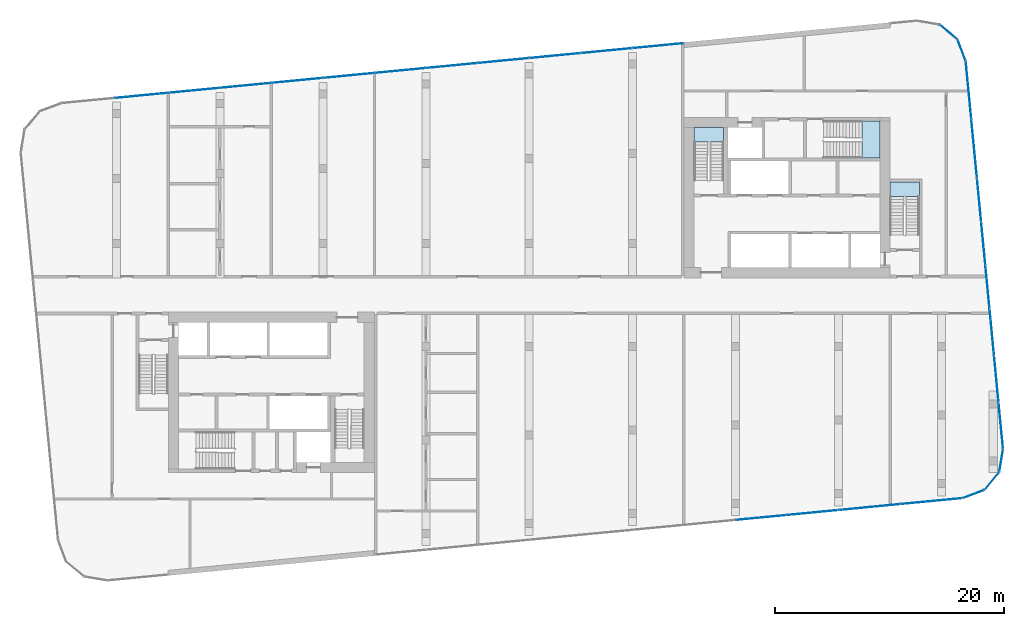
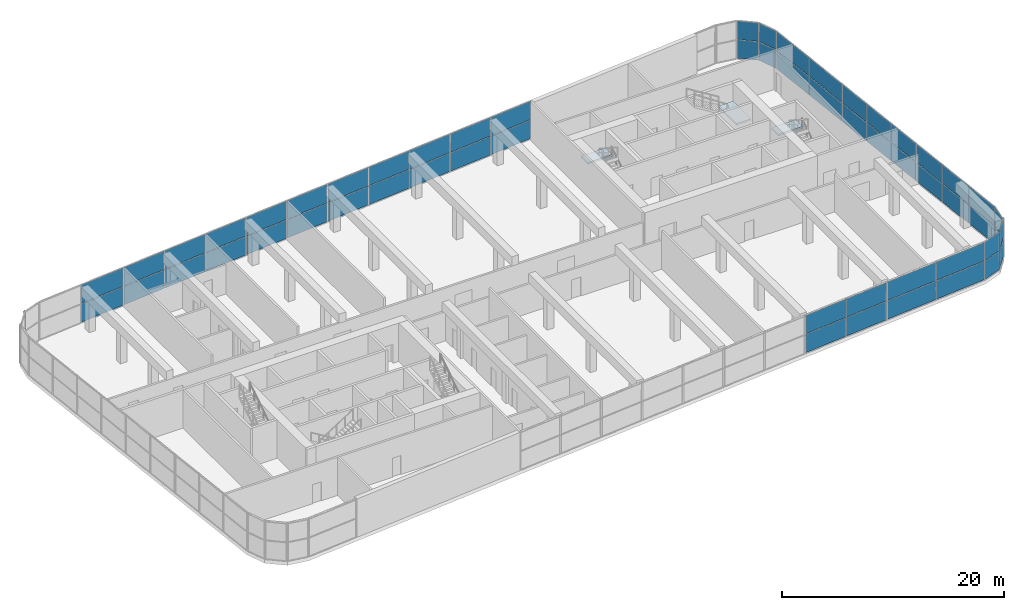
# One storey, part 11 of 21: 56 plates, 3 slabs, 18 elements without a shape of their own.
"""IFC4 building model written with IfcOpenShell, lengths in metres."""

from ifc_helpers import new_model, si_unit, direction, frame, origin, origin_2d, place, context, subcontext, project, spatial, polyline, rectangle, outline, extrude, material, layer, layer_set, type_object, element, aggregate, save


model = new_model("IFC4")

# Units and contexts
model_context = context("Model", 3, precision=1e-05, world=origin(), true_north=direction((0.0, 1.0)))
body_context = subcontext(model_context, "Body", "Model", "MODEL_VIEW")
ifc_project = project(units=[si_unit("LENGTHUNIT", "METRE"), si_unit("AREAUNIT", "SQUARE_METRE"), si_unit("VOLUMEUNIT", "CUBIC_METRE"), si_unit("PLANEANGLEUNIT", "RADIAN"), si_unit("MASSUNIT", "GRAM", prefix="KILO")], contexts=[model_context])

# Site, building, storey
site_placement = place(None, origin())
site = spatial("IfcSite", under=ifc_project, at=site_placement, CompositionType="ELEMENT")
building_placement = place(site_placement, origin())
building = spatial("IfcBuilding", under=site, at=building_placement, Name="Kajstack Hotel Tower", CompositionType="ELEMENT")
storey_placement = place(building_placement, frame((0.0, 0.0, 162.39990234375)))
storey = spatial("IfcBuildingStorey", under=building, at=storey_placement, Name="L37", CompositionType="ELEMENT", Elevation=162.39990234375)

# Curtain wall, plates
ifc_material_1 = material(Name="Aluminium-framed curtain wall, insulated glass with fritted edge", Category="aluminium")
curtain_wall_type = type_object("IfcCurtainWallType", Name="CW-SPA", PredefinedType="NOTDEFINED", material=ifc_material_1)
curtain_wall_1_placement = place(storey_placement, origin())
curtain_wall_1 = element("IfcCurtainWall", 1, at=curtain_wall_1_placement, inside=storey, type_object=curtain_wall_type, Name="Curtain wall CU7 L37-04-02-3", PredefinedType="NOTDEFINED")
ifc_material_2 = material(Name="Insulated glass with fritted edge", Category="glass")
ifc_layer_1 = layer(ifc_material_2, 0.035888671875)
ifc_layer_set_1 = layer_set([ifc_layer_1], Name="CW-P-SPA")
plate_type = type_object("IfcPlateType", Name="CW-P-SPA", PredefinedType="CURTAIN_PANEL", material=ifc_layer_set_1)
plate_1_placement = place(storey_placement, frame((20.2578125, -19.4267578125, 0.06005859375), z_axis=(0.0, 0.0, 1.0), x_axis=(0.995396238823, 0.095845332373, 0.0)))
plate_1 = element("IfcPlate", 2, at=plate_1_placement, type_object=plate_type, Name="CU7 panel 1.1", PredefinedType="CURTAIN_PANEL", context=body_context, shape_type="SweptSolid", body=[
    extrude(rectangle(XDim=4.430908203125, YDim=0.035888671875, at=origin_2d()), origin(), (0.0, 0.0, 1.0), 2.02001953125),
])
plate_2_placement = place(storey_placement, frame((20.2578125, -19.4267578125, 2.14013671875), z_axis=(0.0, 0.0, 1.0), x_axis=(0.995396238823, 0.095845332373, 0.0)))
plate_2 = element("IfcPlate", 3, at=plate_2_placement, type_object=plate_type, Name="CU7 panel 1.2", PredefinedType="CURTAIN_PANEL", context=body_context, shape_type="SweptSolid", body=[
    extrude(rectangle(XDim=4.430908203125, YDim=0.035888671875, at=origin_2d()), origin(), (0.0, 0.0, 1.0), 2.02001953125),
])
plate_3_placement = place(storey_placement, frame((24.727783203125, -18.996337890625, 0.06005859375), z_axis=(0.0, 0.0, 1.0), x_axis=(0.995396238823, 0.095845332373, 0.0)))
plate_3 = element("IfcPlate", 4, at=plate_3_placement, type_object=plate_type, Name="CU7 panel 2.1", PredefinedType="CURTAIN_PANEL", context=body_context, shape_type="SweptSolid", body=[
    extrude(rectangle(XDim=4.430908203125, YDim=0.035888671875, at=origin_2d()), origin(), (0.0, 0.0, 1.0), 2.02001953125),
])
plate_4_placement = place(storey_placement, frame((24.727783203125, -18.996337890625, 2.14013671875), z_axis=(0.0, 0.0, 1.0), x_axis=(0.995396238823, 0.095845332373, 0.0)))
plate_4 = element("IfcPlate", 5, at=plate_4_placement, type_object=plate_type, Name="CU7 panel 2.2", PredefinedType="CURTAIN_PANEL", context=body_context, shape_type="SweptSolid", body=[
    extrude(rectangle(XDim=4.430908203125, YDim=0.035888671875, at=origin_2d()), origin(), (0.0, 0.0, 1.0), 2.02001953125),
])
aggregate(curtain_wall_1, [plate_1, plate_2, plate_3, plate_4])

curtain_wall_2_placement = place(storey_placement, origin())
curtain_wall_2 = element("IfcCurtainWall", 6, at=curtain_wall_2_placement, inside=storey, type_object=curtain_wall_type, Name="Curtain wall CU7 L37-04-02-4", PredefinedType="NOTDEFINED")
plate_5_placement = place(storey_placement, frame((29.7177734375, -18.515869140625, 0.06005859375), z_axis=(0.0, 0.0, 1.0), x_axis=(0.995396231526, 0.095845408154, 0.0)))
plate_5 = element("IfcPlate", 7, at=plate_5_placement, type_object=plate_type, Name="CU7 panel 1.1", PredefinedType="CURTAIN_PANEL", context=body_context, shape_type="SweptSolid", body=[
    extrude(rectangle(XDim=5.355224609375, YDim=0.035888671875, at=origin_2d()), origin(), (0.0, 0.0, 1.0), 2.02001953125),
])
plate_6_placement = place(storey_placement, frame((29.7177734375, -18.515869140625, 2.14013671875), z_axis=(0.0, 0.0, 1.0), x_axis=(0.995396231526, 0.095845408154, 0.0)))
plate_6 = element("IfcPlate", 8, at=plate_6_placement, type_object=plate_type, Name="CU7 panel 1.2", PredefinedType="CURTAIN_PANEL", context=body_context, shape_type="SweptSolid", body=[
    extrude(rectangle(XDim=5.355224609375, YDim=0.035888671875, at=origin_2d()), origin(), (0.0, 0.0, 1.0), 2.02001953125),
])
plate_7_placement = place(storey_placement, frame((35.10791015625, -17.996826171875, 0.06005859375), z_axis=(0.0, 0.0, 1.0), x_axis=(0.995396231526, 0.095845408154, 0.0)))
plate_7 = element("IfcPlate", 9, at=plate_7_placement, type_object=plate_type, Name="CU7 panel 2.1", PredefinedType="CURTAIN_PANEL", context=body_context, shape_type="SweptSolid", body=[
    extrude(rectangle(XDim=5.355224609375, YDim=0.035888671875, at=origin_2d()), origin(), (0.0, 0.0, 1.0), 2.02001953125),
])
plate_8_placement = place(storey_placement, frame((35.10791015625, -17.996826171875, 2.14013671875), z_axis=(0.0, 0.0, 1.0), x_axis=(0.995396231526, 0.095845408154, 0.0)))
plate_8 = element("IfcPlate", 10, at=plate_8_placement, type_object=plate_type, Name="CU7 panel 2.2", PredefinedType="CURTAIN_PANEL", context=body_context, shape_type="SweptSolid", body=[
    extrude(rectangle(XDim=5.355224609375, YDim=0.035888671875, at=origin_2d()), origin(), (0.0, 0.0, 1.0), 2.02001953125),
])
aggregate(curtain_wall_2, [plate_5, plate_6, plate_7, plate_8])

curtain_wall_3_placement = place(storey_placement, origin())
curtain_wall_3 = element("IfcCurtainWall", 11, at=curtain_wall_3_placement, inside=storey, type_object=curtain_wall_type, Name="Curtain wall CU7 L37-05-00-0", PredefinedType="NOTDEFINED")
plate_9_placement = place(storey_placement, frame((38.783447265625, -17.376220703125, 0.06005859375), z_axis=(0.0, 0.0, 1.0), x_axis=(0.936674082046, 0.3502023187, 0.0)))
plate_9 = element("IfcPlate", 12, at=plate_9_placement, type_object=plate_type, Name="CU7 panel 1.1", PredefinedType="CURTAIN_PANEL", context=body_context, shape_type="SweptSolid", body=[
    extrude(rectangle(XDim=1.950439453125, YDim=0.035888671875, at=origin_2d()), origin(), (0.0, 0.0, 1.0), 2.02001953125),
])
plate_10_placement = place(storey_placement, frame((38.783447265625, -17.376220703125, 2.14013671875), z_axis=(0.0, 0.0, 1.0), x_axis=(0.936674082046, 0.3502023187, 0.0)))
plate_10 = element("IfcPlate", 13, at=plate_10_placement, type_object=plate_type, Name="CU7 panel 1.2", PredefinedType="CURTAIN_PANEL", context=body_context, shape_type="SweptSolid", body=[
    extrude(rectangle(XDim=1.950439453125, YDim=0.035888671875, at=origin_2d()), origin(), (0.0, 0.0, 1.0), 2.02001953125),
])
aggregate(curtain_wall_3, [plate_9, plate_10])

curtain_wall_4_placement = place(storey_placement, origin())
curtain_wall_4 = element("IfcCurtainWall", 14, at=curtain_wall_4_placement, inside=storey, type_object=curtain_wall_type, Name="Curtain wall CU7 L37-06-00-0", PredefinedType="NOTDEFINED")
plate_11_placement = place(storey_placement, frame((40.380126953125, -16.237548828125, 0.06005859375), z_axis=(0.0, 0.0, 1.0), x_axis=(0.636094828048, 0.771610892698, 0.0)))
plate_11 = element("IfcPlate", 15, at=plate_11_placement, type_object=plate_type, Name="CU7 panel 1.1", PredefinedType="CURTAIN_PANEL", context=body_context, shape_type="SweptSolid", body=[
    extrude(rectangle(XDim=1.95068359375, YDim=0.035888671875, at=origin_2d()), origin(), (0.0, 0.0, 1.0), 2.02001953125),
])
plate_12_placement = place(storey_placement, frame((40.380126953125, -16.237548828125, 2.14013671875), z_axis=(0.0, 0.0, 1.0), x_axis=(0.636094828048, 0.771610892698, 0.0)))
plate_12 = element("IfcPlate", 16, at=plate_12_placement, type_object=plate_type, Name="CU7 panel 1.2", PredefinedType="CURTAIN_PANEL", context=body_context, shape_type="SweptSolid", body=[
    extrude(rectangle(XDim=1.95068359375, YDim=0.035888671875, at=origin_2d()), origin(), (0.0, 0.0, 1.0), 2.02001953125),
])
aggregate(curtain_wall_4, [plate_11, plate_12])

curtain_wall_5_placement = place(storey_placement, origin())
curtain_wall_5 = element("IfcCurtainWall", 17, at=curtain_wall_5_placement, inside=storey, type_object=curtain_wall_type, Name="Curtain wall CU7 L37-07-00-0", PredefinedType="NOTDEFINED")
plate_13_placement = place(storey_placement, frame((41.193359375, -14.452880859375, 0.06005859375), z_axis=(0.0, 0.0, 1.0), x_axis=(0.165025489464, 0.986289302298, 0.0)))
plate_13 = element("IfcPlate", 18, at=plate_13_placement, type_object=plate_type, Name="CU7 panel 1.1", PredefinedType="CURTAIN_PANEL", context=body_context, shape_type="SweptSolid", body=[
    extrude(rectangle(XDim=1.95068359375, YDim=0.035888671875, at=origin_2d()), origin(), (0.0, 0.0, 1.0), 2.02001953125),
])
plate_14_placement = place(storey_placement, frame((41.193359375, -14.452880859375, 2.14013671875), z_axis=(0.0, 0.0, 1.0), x_axis=(0.165025489464, 0.986289302298, 0.0)))
plate_14 = element("IfcPlate", 19, at=plate_14_placement, type_object=plate_type, Name="CU7 panel 1.2", PredefinedType="CURTAIN_PANEL", context=body_context, shape_type="SweptSolid", body=[
    extrude(rectangle(XDim=1.95068359375, YDim=0.035888671875, at=origin_2d()), origin(), (0.0, 0.0, 1.0), 2.02001953125),
])
aggregate(curtain_wall_5, [plate_13, plate_14])

curtain_wall_6_placement = place(storey_placement, origin())
curtain_wall_6 = element("IfcCurtainWall", 20, at=curtain_wall_6_placement, inside=storey, type_object=curtain_wall_type, Name="Curtain wall CU7 L37-08-00-0", PredefinedType="NOTDEFINED")
plate_15_placement = place(storey_placement, frame((41.165771484375, -11.395751953125, 0.06005859375), z_axis=(0.0, 0.0, 1.0), x_axis=(-0.095844318002, 0.995396336495, 0.0)))
plate_15 = element("IfcPlate", 21, at=plate_15_placement, type_object=plate_type, Name="CU7 panel 1.1", PredefinedType="CURTAIN_PANEL", context=body_context, shape_type="SweptSolid", body=[
    extrude(rectangle(XDim=4.01025390625, YDim=0.035888671875, at=origin_2d()), origin(), (0.0, 0.0, 1.0), 2.02001953125),
])
plate_16_placement = place(storey_placement, frame((41.165771484375, -11.395751953125, 2.14013671875), z_axis=(0.0, 0.0, 1.0), x_axis=(-0.095844318002, 0.995396336495, 0.0)))
plate_16 = element("IfcPlate", 22, at=plate_16_placement, type_object=plate_type, Name="CU7 panel 1.2", PredefinedType="CURTAIN_PANEL", context=body_context, shape_type="SweptSolid", body=[
    extrude(rectangle(XDim=4.01025390625, YDim=0.035888671875, at=origin_2d()), origin(), (0.0, 0.0, 1.0), 2.02001953125),
])
plate_17_placement = place(storey_placement, frame((40.774169921875, -7.329345703125, 0.06005859375), z_axis=(0.0, 0.0, 1.0), x_axis=(-0.095844318002, 0.995396336495, 0.0)))
plate_17 = element("IfcPlate", 23, at=plate_17_placement, type_object=plate_type, Name="CU7 panel 2.1", PredefinedType="CURTAIN_PANEL", context=body_context, shape_type="SweptSolid", body=[
    extrude(rectangle(XDim=4.040283203125, YDim=0.035888671875, at=origin_2d()), origin(), (0.0, 0.0, 1.0), 2.02001953125),
])
plate_18_placement = place(storey_placement, frame((40.774169921875, -7.329345703125, 2.14013671875), z_axis=(0.0, 0.0, 1.0), x_axis=(-0.095844318002, 0.995396336495, 0.0)))
plate_18 = element("IfcPlate", 24, at=plate_18_placement, type_object=plate_type, Name="CU7 panel 2.2", PredefinedType="CURTAIN_PANEL", context=body_context, shape_type="SweptSolid", body=[
    extrude(rectangle(XDim=4.040283203125, YDim=0.035888671875, at=origin_2d()), origin(), (0.0, 0.0, 1.0), 2.02001953125),
])
plate_19_placement = place(storey_placement, frame((40.382568359375, -3.262939453125, 0.06005859375), z_axis=(0.0, 0.0, 1.0), x_axis=(-0.095844318002, 0.995396336495, 0.0)))
plate_19 = element("IfcPlate", 25, at=plate_19_placement, type_object=plate_type, Name="CU7 panel 3.1", PredefinedType="CURTAIN_PANEL", context=body_context, shape_type="SweptSolid", body=[
    extrude(rectangle(XDim=4.01025390625, YDim=0.035888671875, at=origin_2d()), origin(), (0.0, 0.0, 1.0), 2.02001953125),
])
plate_20_placement = place(storey_placement, frame((40.382568359375, -3.262939453125, 2.14013671875), z_axis=(0.0, 0.0, 1.0), x_axis=(-0.095844318002, 0.995396336495, 0.0)))
plate_20 = element("IfcPlate", 26, at=plate_20_placement, type_object=plate_type, Name="CU7 panel 3.2", PredefinedType="CURTAIN_PANEL", context=body_context, shape_type="SweptSolid", body=[
    extrude(rectangle(XDim=4.01025390625, YDim=0.035888671875, at=origin_2d()), origin(), (0.0, 0.0, 1.0), 2.02001953125),
])
aggregate(curtain_wall_6, [plate_15, plate_16, plate_17, plate_18, plate_19, plate_20])

curtain_wall_7_placement = place(storey_placement, origin())
curtain_wall_7 = element("IfcCurtainWall", 27, at=curtain_wall_7_placement, inside=storey, type_object=curtain_wall_type, Name="Curtain wall CU7 L37-08-00-1", PredefinedType="NOTDEFINED")
plate_21_placement = place(storey_placement, frame((40.000244140625, 0.707763671875, 0.06005859375), z_axis=(0.0, 0.0, 1.0), x_axis=(-0.095844315639, 0.995396336722, 0.0)))
plate_21 = element("IfcPlate", 28, at=plate_21_placement, type_object=plate_type, Name="CU7 panel 1.1", PredefinedType="CURTAIN_PANEL", context=body_context, shape_type="SweptSolid", body=[
    extrude(rectangle(XDim=3.7275390625, YDim=0.035888671875, at=origin_2d()), origin(), (0.0, 0.0, 1.0), 2.02001953125),
])
plate_22_placement = place(storey_placement, frame((40.000244140625, 0.707763671875, 2.14013671875), z_axis=(0.0, 0.0, 1.0), x_axis=(-0.095844315639, 0.995396336722, 0.0)))
plate_22 = element("IfcPlate", 29, at=plate_22_placement, type_object=plate_type, Name="CU7 panel 1.2", PredefinedType="CURTAIN_PANEL", context=body_context, shape_type="SweptSolid", body=[
    extrude(rectangle(XDim=3.7275390625, YDim=0.035888671875, at=origin_2d()), origin(), (0.0, 0.0, 1.0), 2.02001953125),
])
plate_23_placement = place(storey_placement, frame((39.6357421875, 4.49267578125, 0.06005859375), z_axis=(0.0, 0.0, 1.0), x_axis=(-0.095844315639, 0.995396336722, 0.0)))
plate_23 = element("IfcPlate", 30, at=plate_23_placement, type_object=plate_type, Name="CU7 panel 2.1", PredefinedType="CURTAIN_PANEL", context=body_context, shape_type="SweptSolid", body=[
    extrude(rectangle(XDim=3.757568359375, YDim=0.035888671875, at=origin_2d()), origin(), (0.0, 0.0, 1.0), 2.02001953125),
])
plate_24_placement = place(storey_placement, frame((39.6357421875, 4.49267578125, 2.14013671875), z_axis=(0.0, 0.0, 1.0), x_axis=(-0.095844315639, 0.995396336722, 0.0)))
plate_24 = element("IfcPlate", 31, at=plate_24_placement, type_object=plate_type, Name="CU7 panel 2.2", PredefinedType="CURTAIN_PANEL", context=body_context, shape_type="SweptSolid", body=[
    extrude(rectangle(XDim=3.757568359375, YDim=0.035888671875, at=origin_2d()), origin(), (0.0, 0.0, 1.0), 2.02001953125),
])
plate_25_placement = place(storey_placement, frame((39.271484375, 8.27783203125, 0.06005859375), z_axis=(0.0, 0.0, 1.0), x_axis=(-0.095844315639, 0.995396336722, 0.0)))
plate_25 = element("IfcPlate", 32, at=plate_25_placement, type_object=plate_type, Name="CU7 panel 3.1", PredefinedType="CURTAIN_PANEL", context=body_context, shape_type="SweptSolid", body=[
    extrude(rectangle(XDim=3.7275390625, YDim=0.035888671875, at=origin_2d()), origin(), (0.0, 0.0, 1.0), 2.02001953125),
])
plate_26_placement = place(storey_placement, frame((39.271484375, 8.27783203125, 2.14013671875), z_axis=(0.0, 0.0, 1.0), x_axis=(-0.095844315639, 0.995396336722, 0.0)))
plate_26 = element("IfcPlate", 33, at=plate_26_placement, type_object=plate_type, Name="CU7 panel 3.2", PredefinedType="CURTAIN_PANEL", context=body_context, shape_type="SweptSolid", body=[
    extrude(rectangle(XDim=3.7275390625, YDim=0.035888671875, at=origin_2d()), origin(), (0.0, 0.0, 1.0), 2.02001953125),
])
aggregate(curtain_wall_7, [plate_21, plate_22, plate_23, plate_24, plate_25, plate_26])

curtain_wall_8_placement = place(storey_placement, origin())
curtain_wall_8 = element("IfcCurtainWall", 34, at=curtain_wall_8_placement, inside=storey, type_object=curtain_wall_type, Name="Curtain wall CU7 L37-08-00-2", PredefinedType="NOTDEFINED")
plate_27_placement = place(storey_placement, frame((38.840087890625, 12.757568359375, 0.06005859375), z_axis=(0.0, 0.0, 1.0), x_axis=(-0.095844364353, 0.995396332032, 0.0)))
plate_27 = element("IfcPlate", 35, at=plate_27_placement, type_object=plate_type, Name="CU7 panel 1.1", PredefinedType="CURTAIN_PANEL", context=body_context, shape_type="SweptSolid", body=[
    extrude(rectangle(XDim=5.033203125, YDim=0.035888671875, at=origin_2d()), origin(), (0.0, 0.0, 1.0), 2.02001953125),
])
plate_28_placement = place(storey_placement, frame((38.840087890625, 12.757568359375, 2.14013671875), z_axis=(0.0, 0.0, 1.0), x_axis=(-0.095844364353, 0.995396332032, 0.0)))
plate_28 = element("IfcPlate", 36, at=plate_28_placement, type_object=plate_type, Name="CU7 panel 1.2", PredefinedType="CURTAIN_PANEL", context=body_context, shape_type="SweptSolid", body=[
    extrude(rectangle(XDim=5.033203125, YDim=0.035888671875, at=origin_2d()), origin(), (0.0, 0.0, 1.0), 2.02001953125),
])
plate_29_placement = place(storey_placement, frame((38.351806640625, 17.827392578125, 0.06005859375), z_axis=(0.0, 0.0, 1.0), x_axis=(-0.095844364353, 0.995396332032, 0.0)))
plate_29 = element("IfcPlate", 37, at=plate_29_placement, type_object=plate_type, Name="CU7 panel 2.1", PredefinedType="CURTAIN_PANEL", context=body_context, shape_type="SweptSolid", body=[
    extrude(rectangle(XDim=5.033203125, YDim=0.035888671875, at=origin_2d()), origin(), (0.0, 0.0, 1.0), 2.02001953125),
])
plate_30_placement = place(storey_placement, frame((38.351806640625, 17.827392578125, 2.14013671875), z_axis=(0.0, 0.0, 1.0), x_axis=(-0.095844364353, 0.995396332032, 0.0)))
plate_30 = element("IfcPlate", 38, at=plate_30_placement, type_object=plate_type, Name="CU7 panel 2.2", PredefinedType="CURTAIN_PANEL", context=body_context, shape_type="SweptSolid", body=[
    extrude(rectangle(XDim=5.033203125, YDim=0.035888671875, at=origin_2d()), origin(), (0.0, 0.0, 1.0), 2.02001953125),
])
aggregate(curtain_wall_8, [plate_27, plate_28, plate_29, plate_30])

curtain_wall_9_placement = place(storey_placement, origin())
curtain_wall_9 = element("IfcCurtainWall", 39, at=curtain_wall_9_placement, inside=storey, type_object=curtain_wall_type, Name="Curtain wall CU7 L37-09-00-0", PredefinedType="NOTDEFINED")
plate_31_placement = place(storey_placement, frame((37.746826171875, 21.3427734375, 0.06005859375), z_axis=(0.0, 0.0, 1.0), x_axis=(-0.350228848104, 0.936664162844, 0.0)))
plate_31 = element("IfcPlate", 40, at=plate_31_placement, type_object=plate_type, Name="CU7 panel 1.1", PredefinedType="CURTAIN_PANEL", context=body_context, shape_type="SweptSolid", body=[
    extrude(rectangle(XDim=1.95068359375, YDim=0.035888671875, at=origin_2d()), origin(), (0.0, 0.0, 1.0), 2.02001953125),
])
plate_32_placement = place(storey_placement, frame((37.746826171875, 21.3427734375, 2.14013671875), z_axis=(0.0, 0.0, 1.0), x_axis=(-0.350228848104, 0.936664162844, 0.0)))
plate_32 = element("IfcPlate", 41, at=plate_32_placement, type_object=plate_type, Name="CU7 panel 1.2", PredefinedType="CURTAIN_PANEL", context=body_context, shape_type="SweptSolid", body=[
    extrude(rectangle(XDim=1.95068359375, YDim=0.035888671875, at=origin_2d()), origin(), (0.0, 0.0, 1.0), 2.02001953125),
])
aggregate(curtain_wall_9, [plate_31, plate_32])

curtain_wall_10_placement = place(storey_placement, origin())
curtain_wall_10 = element("IfcCurtainWall", 42, at=curtain_wall_10_placement, inside=storey, type_object=curtain_wall_type, Name="Curtain wall CU7 L37-10-00-0", PredefinedType="NOTDEFINED")
plate_33_placement = place(storey_placement, frame((36.60791015625, 22.939453125, 0.06005859375), z_axis=(0.0, 0.0, 1.0), x_axis=(-0.771615056057, 0.636089777678, 0.0)))
plate_33 = element("IfcPlate", 43, at=plate_33_placement, type_object=plate_type, Name="CU7 panel 1.1", PredefinedType="CURTAIN_PANEL", context=body_context, shape_type="SweptSolid", body=[
    extrude(rectangle(XDim=1.950439453125, YDim=0.035888671875, at=origin_2d()), origin(), (0.0, 0.0, 1.0), 2.02001953125),
])
plate_34_placement = place(storey_placement, frame((36.60791015625, 22.939453125, 2.14013671875), z_axis=(0.0, 0.0, 1.0), x_axis=(-0.771615056057, 0.636089777678, 0.0)))
plate_34 = element("IfcPlate", 44, at=plate_34_placement, type_object=plate_type, Name="CU7 panel 1.2", PredefinedType="CURTAIN_PANEL", context=body_context, shape_type="SweptSolid", body=[
    extrude(rectangle(XDim=1.950439453125, YDim=0.035888671875, at=origin_2d()), origin(), (0.0, 0.0, 1.0), 2.02001953125),
])
aggregate(curtain_wall_10, [plate_33, plate_34])

curtain_wall_11_placement = place(storey_placement, origin())
curtain_wall_11 = element("IfcCurtainWall", 45, at=curtain_wall_11_placement, inside=storey, type_object=curtain_wall_type, Name="Curtain wall CU7 L37-12-02-0", PredefinedType="NOTDEFINED")
plate_35_placement = place(storey_placement, frame((11.2421875, 21.748779296875, 0.06005859375), z_axis=(0.0, 0.0, 1.0), x_axis=(-0.995396238823, -0.095845332373, 0.0)))
plate_35 = element("IfcPlate", 46, at=plate_35_placement, type_object=plate_type, Name="CU7 panel 1.1", PredefinedType="CURTAIN_PANEL", context=body_context, shape_type="SweptSolid", body=[
    extrude(rectangle(XDim=4.430908203125, YDim=0.035888671875, at=origin_2d()), origin(), (0.0, 0.0, 1.0), 2.02001953125),
])
plate_36_placement = place(storey_placement, frame((11.2421875, 21.748779296875, 2.14013671875), z_axis=(0.0, 0.0, 1.0), x_axis=(-0.995396238823, -0.095845332373, 0.0)))
plate_36 = element("IfcPlate", 47, at=plate_36_placement, type_object=plate_type, Name="CU7 panel 1.2", PredefinedType="CURTAIN_PANEL", context=body_context, shape_type="SweptSolid", body=[
    extrude(rectangle(XDim=4.430908203125, YDim=0.035888671875, at=origin_2d()), origin(), (0.0, 0.0, 1.0), 2.02001953125),
])
plate_37_placement = place(storey_placement, frame((6.772216796875, 21.318359375, 0.06005859375), z_axis=(0.0, 0.0, 1.0), x_axis=(-0.995396238823, -0.095845332373, 0.0)))
plate_37 = element("IfcPlate", 48, at=plate_37_placement, type_object=plate_type, Name="CU7 panel 2.1", PredefinedType="CURTAIN_PANEL", context=body_context, shape_type="SweptSolid", body=[
    extrude(rectangle(XDim=4.430908203125, YDim=0.035888671875, at=origin_2d()), origin(), (0.0, 0.0, 1.0), 2.02001953125),
])
plate_38_placement = place(storey_placement, frame((6.772216796875, 21.318359375, 2.14013671875), z_axis=(0.0, 0.0, 1.0), x_axis=(-0.995396238823, -0.095845332373, 0.0)))
plate_38 = element("IfcPlate", 49, at=plate_38_placement, type_object=plate_type, Name="CU7 panel 2.2", PredefinedType="CURTAIN_PANEL", context=body_context, shape_type="SweptSolid", body=[
    extrude(rectangle(XDim=4.430908203125, YDim=0.035888671875, at=origin_2d()), origin(), (0.0, 0.0, 1.0), 2.02001953125),
])
aggregate(curtain_wall_11, [plate_35, plate_36, plate_37, plate_38])

curtain_wall_12_placement = place(storey_placement, origin())
curtain_wall_12 = element("IfcCurtainWall", 50, at=curtain_wall_12_placement, inside=storey, type_object=curtain_wall_type, Name="Curtain wall CU7 L37-12-02-1", PredefinedType="NOTDEFINED")
plate_39_placement = place(storey_placement, frame((2.2421875, 20.882080078125, 0.06005859375), z_axis=(0.0, 0.0, 1.0), x_axis=(-0.995396234967, -0.095845372418, 0.0)))
plate_39 = element("IfcPlate", 51, at=plate_39_placement, type_object=plate_type, Name="CU7 panel 1.1", PredefinedType="CURTAIN_PANEL", context=body_context, shape_type="SweptSolid", body=[
    extrude(rectangle(XDim=4.430908203125, YDim=0.035888671875, at=origin_2d()), origin(), (0.0, 0.0, 1.0), 2.02001953125),
])
plate_40_placement = place(storey_placement, frame((2.2421875, 20.882080078125, 2.14013671875), z_axis=(0.0, 0.0, 1.0), x_axis=(-0.995396234967, -0.095845372418, 0.0)))
plate_40 = element("IfcPlate", 52, at=plate_40_placement, type_object=plate_type, Name="CU7 panel 1.2", PredefinedType="CURTAIN_PANEL", context=body_context, shape_type="SweptSolid", body=[
    extrude(rectangle(XDim=4.430908203125, YDim=0.035888671875, at=origin_2d()), origin(), (0.0, 0.0, 1.0), 2.02001953125),
])
plate_41_placement = place(storey_placement, frame((-2.242919921875, 20.4501953125, 0.06005859375), z_axis=(0.0, 0.0, 1.0), x_axis=(-0.995396234967, -0.095845372418, 0.0)))
plate_41 = element("IfcPlate", 53, at=plate_41_placement, type_object=plate_type, Name="CU7 panel 2.1", PredefinedType="CURTAIN_PANEL", context=body_context, shape_type="SweptSolid", body=[
    extrude(rectangle(XDim=4.460693359375, YDim=0.035888671875, at=origin_2d()), origin(), (0.0, 0.0, 1.0), 2.02001953125),
])
plate_42_placement = place(storey_placement, frame((-2.242919921875, 20.4501953125, 2.14013671875), z_axis=(0.0, 0.0, 1.0), x_axis=(-0.995396234967, -0.095845372418, 0.0)))
plate_42 = element("IfcPlate", 54, at=plate_42_placement, type_object=plate_type, Name="CU7 panel 2.2", PredefinedType="CURTAIN_PANEL", context=body_context, shape_type="SweptSolid", body=[
    extrude(rectangle(XDim=4.460693359375, YDim=0.035888671875, at=origin_2d()), origin(), (0.0, 0.0, 1.0), 2.02001953125),
])
plate_43_placement = place(storey_placement, frame((-6.727783203125, 20.018310546875, 0.06005859375), z_axis=(0.0, 0.0, 1.0), x_axis=(-0.995396234967, -0.095845372418, 0.0)))
plate_43 = element("IfcPlate", 55, at=plate_43_placement, type_object=plate_type, Name="CU7 panel 3.1", PredefinedType="CURTAIN_PANEL", context=body_context, shape_type="SweptSolid", body=[
    extrude(rectangle(XDim=4.430908203125, YDim=0.035888671875, at=origin_2d()), origin(), (0.0, 0.0, 1.0), 2.02001953125),
])
plate_44_placement = place(storey_placement, frame((-6.727783203125, 20.018310546875, 2.14013671875), z_axis=(0.0, 0.0, 1.0), x_axis=(-0.995396234967, -0.095845372418, 0.0)))
plate_44 = element("IfcPlate", 56, at=plate_44_placement, type_object=plate_type, Name="CU7 panel 3.2", PredefinedType="CURTAIN_PANEL", context=body_context, shape_type="SweptSolid", body=[
    extrude(rectangle(XDim=4.430908203125, YDim=0.035888671875, at=origin_2d()), origin(), (0.0, 0.0, 1.0), 2.02001953125),
])
aggregate(curtain_wall_12, [plate_39, plate_40, plate_41, plate_42, plate_43, plate_44])

curtain_wall_13_placement = place(storey_placement, origin())
curtain_wall_13 = element("IfcCurtainWall", 57, at=curtain_wall_13_placement, inside=storey, type_object=curtain_wall_type, Name="Curtain wall CU7 L37-12-02-2", PredefinedType="NOTDEFINED")
plate_45_placement = place(storey_placement, frame((-11.2578125, 19.582275390625, 0.06005859375), z_axis=(0.0, 0.0, 1.0), x_axis=(-0.995396237806, -0.095845342936, 0.0)))
plate_45 = element("IfcPlate", 58, at=plate_45_placement, type_object=plate_type, Name="CU7 panel 1.1", PredefinedType="CURTAIN_PANEL", context=body_context, shape_type="SweptSolid", body=[
    extrude(rectangle(XDim=4.430908203125, YDim=0.035888671875, at=origin_2d()), origin(), (0.0, 0.0, 1.0), 2.02001953125),
])
plate_46_placement = place(storey_placement, frame((-11.2578125, 19.582275390625, 2.14013671875), z_axis=(0.0, 0.0, 1.0), x_axis=(-0.995396237806, -0.095845342936, 0.0)))
plate_46 = element("IfcPlate", 59, at=plate_46_placement, type_object=plate_type, Name="CU7 panel 1.2", PredefinedType="CURTAIN_PANEL", context=body_context, shape_type="SweptSolid", body=[
    extrude(rectangle(XDim=4.430908203125, YDim=0.035888671875, at=origin_2d()), origin(), (0.0, 0.0, 1.0), 2.02001953125),
])
plate_47_placement = place(storey_placement, frame((-15.727783203125, 19.15185546875, 0.06005859375), z_axis=(0.0, 0.0, 1.0), x_axis=(-0.995396237806, -0.095845342936, 0.0)))
plate_47 = element("IfcPlate", 60, at=plate_47_placement, type_object=plate_type, Name="CU7 panel 2.1", PredefinedType="CURTAIN_PANEL", context=body_context, shape_type="SweptSolid", body=[
    extrude(rectangle(XDim=4.430908203125, YDim=0.035888671875, at=origin_2d()), origin(), (0.0, 0.0, 1.0), 2.02001953125),
])
plate_48_placement = place(storey_placement, frame((-15.727783203125, 19.15185546875, 2.14013671875), z_axis=(0.0, 0.0, 1.0), x_axis=(-0.995396237806, -0.095845342936, 0.0)))
plate_48 = element("IfcPlate", 61, at=plate_48_placement, type_object=plate_type, Name="CU7 panel 2.2", PredefinedType="CURTAIN_PANEL", context=body_context, shape_type="SweptSolid", body=[
    extrude(rectangle(XDim=4.430908203125, YDim=0.035888671875, at=origin_2d()), origin(), (0.0, 0.0, 1.0), 2.02001953125),
])
aggregate(curtain_wall_13, [plate_45, plate_46, plate_47, plate_48])

curtain_wall_14_placement = place(storey_placement, origin())
curtain_wall_14 = element("IfcCurtainWall", 62, at=curtain_wall_14_placement, inside=storey, type_object=curtain_wall_type, Name="Curtain wall CU7 L37-12-02-3", PredefinedType="NOTDEFINED")
plate_49_placement = place(storey_placement, frame((-20.2578125, 18.715576171875, 0.06005859375), z_axis=(0.0, 0.0, 1.0), x_axis=(-0.995396238712, -0.09584533352, 0.0)))
plate_49 = element("IfcPlate", 63, at=plate_49_placement, type_object=plate_type, Name="CU7 panel 1.1", PredefinedType="CURTAIN_PANEL", context=body_context, shape_type="SweptSolid", body=[
    extrude(rectangle(XDim=4.430908203125, YDim=0.035888671875, at=origin_2d()), origin(), (0.0, 0.0, 1.0), 2.02001953125),
])
plate_50_placement = place(storey_placement, frame((-20.2578125, 18.715576171875, 2.14013671875), z_axis=(0.0, 0.0, 1.0), x_axis=(-0.995396238712, -0.09584533352, 0.0)))
plate_50 = element("IfcPlate", 64, at=plate_50_placement, type_object=plate_type, Name="CU7 panel 1.2", PredefinedType="CURTAIN_PANEL", context=body_context, shape_type="SweptSolid", body=[
    extrude(rectangle(XDim=4.430908203125, YDim=0.035888671875, at=origin_2d()), origin(), (0.0, 0.0, 1.0), 2.02001953125),
])
plate_51_placement = place(storey_placement, frame((-24.74267578125, 18.28369140625, 0.06005859375), z_axis=(0.0, 0.0, 1.0), x_axis=(-0.995396238712, -0.09584533352, 0.0)))
plate_51 = element("IfcPlate", 65, at=plate_51_placement, type_object=plate_type, Name="CU7 panel 2.1", PredefinedType="CURTAIN_PANEL", context=body_context, shape_type="SweptSolid", body=[
    extrude(rectangle(XDim=4.4609375, YDim=0.035888671875, at=origin_2d()), origin(), (0.0, 0.0, 1.0), 2.02001953125),
])
plate_52_placement = place(storey_placement, frame((-24.74267578125, 18.28369140625, 2.14013671875), z_axis=(0.0, 0.0, 1.0), x_axis=(-0.995396238712, -0.09584533352, 0.0)))
plate_52 = element("IfcPlate", 66, at=plate_52_placement, type_object=plate_type, Name="CU7 panel 2.2", PredefinedType="CURTAIN_PANEL", context=body_context, shape_type="SweptSolid", body=[
    extrude(rectangle(XDim=4.4609375, YDim=0.035888671875, at=origin_2d()), origin(), (0.0, 0.0, 1.0), 2.02001953125),
])
plate_53_placement = place(storey_placement, frame((-29.227783203125, 17.851806640625, 0.06005859375), z_axis=(0.0, 0.0, 1.0), x_axis=(-0.995396238712, -0.09584533352, 0.0)))
plate_53 = element("IfcPlate", 67, at=plate_53_placement, type_object=plate_type, Name="CU7 panel 3.1", PredefinedType="CURTAIN_PANEL", context=body_context, shape_type="SweptSolid", body=[
    extrude(rectangle(XDim=4.430908203125, YDim=0.035888671875, at=origin_2d()), origin(), (0.0, 0.0, 1.0), 2.02001953125),
])
plate_54_placement = place(storey_placement, frame((-29.227783203125, 17.851806640625, 2.14013671875), z_axis=(0.0, 0.0, 1.0), x_axis=(-0.995396238712, -0.09584533352, 0.0)))
plate_54 = element("IfcPlate", 68, at=plate_54_placement, type_object=plate_type, Name="CU7 panel 3.2", PredefinedType="CURTAIN_PANEL", context=body_context, shape_type="SweptSolid", body=[
    extrude(rectangle(XDim=4.430908203125, YDim=0.035888671875, at=origin_2d()), origin(), (0.0, 0.0, 1.0), 2.02001953125),
])
aggregate(curtain_wall_14, [plate_49, plate_50, plate_51, plate_52, plate_53, plate_54])

curtain_wall_15_placement = place(storey_placement, origin())
curtain_wall_15 = element("IfcCurtainWall", 69, at=curtain_wall_15_placement, inside=storey, type_object=curtain_wall_type, Name="Curtain wall CU7 L37-12-02-4", PredefinedType="NOTDEFINED")
plate_55_placement = place(storey_placement, frame((-33.8427734375, 17.407470703125, 0.06005859375), z_axis=(0.0, 0.0, 1.0), x_axis=(-0.995396232317, -0.095845399936, 0.0)))
plate_55 = element("IfcPlate", 70, at=plate_55_placement, type_object=plate_type, Name="CU7 panel 1.1", PredefinedType="CURTAIN_PANEL", context=body_context, shape_type="SweptSolid", body=[
    extrude(rectangle(XDim=4.6015625, YDim=0.035888671875, at=origin_2d()), origin(), (0.0, 0.0, 1.0), 2.02001953125),
])
plate_56_placement = place(storey_placement, frame((-33.8427734375, 17.407470703125, 2.14013671875), z_axis=(0.0, 0.0, 1.0), x_axis=(-0.995396232317, -0.095845399936, 0.0)))
plate_56 = element("IfcPlate", 71, at=plate_56_placement, type_object=plate_type, Name="CU7 panel 1.2", PredefinedType="CURTAIN_PANEL", context=body_context, shape_type="SweptSolid", body=[
    extrude(rectangle(XDim=4.6015625, YDim=0.035888671875, at=origin_2d()), origin(), (0.0, 0.0, 1.0), 2.02001953125),
])
aggregate(curtain_wall_15, [plate_55, plate_56])

# Stair, slab
ifc_material_3 = material(Name="Concrete C40/50", Category="concrete")
stair_type_1 = type_object("IfcStairType", Name="Exit stair 1200", PredefinedType="HALF_TURN_STAIR", material=ifc_material_3)
stair_1_placement = place(storey_placement, origin())
stair_1 = element("IfcStair", 72, at=stair_1_placement, inside=storey, type_object=stair_type_1, Name="L37 stair E1", PredefinedType="HALF_TURN_STAIR")
ifc_layer_2 = layer(ifc_material_3, 0.199951171875)
ifc_layer_set_2 = layer_set([ifc_layer_2], Name="Stair landing 200")
slab_type = type_object("IfcSlabType", Name="Stair landing 200", PredefinedType="LANDING", material=ifc_layer_set_2)
slab_1_placement = place(storey_placement, frame((0.0, 0.0, 2.050048828125)))
slab_1 = element("IfcSlab", 73, at=slab_1_placement, type_object=slab_type, Name="E1 landing 1", PredefinedType="LANDING", context=body_context, shape_type="SweptSolid", body=[
    extrude(outline(polyline([(34.050048828125, 8.610107421875), (34.050048828125, 9.85009765625), (31.5, 9.85009765625), (31.5, 8.610107421875), (34.050048828125, 8.610107421875)])), origin(), (0.0, 0.0, 1.0), 0.199951171875),
])
aggregate(stair_1, [slab_1])

stair_2_placement = place(storey_placement, origin())
stair_2 = element("IfcStair", 74, at=stair_2_placement, inside=storey, type_object=stair_type_1, Name="L37 stair E2", PredefinedType="HALF_TURN_STAIR")
slab_2_placement = place(storey_placement, frame((0.0, 0.0, 2.050048828125)))
slab_2 = element("IfcSlab", 75, at=slab_2_placement, type_object=slab_type, Name="E2 landing 1", PredefinedType="LANDING", context=body_context, shape_type="SweptSolid", body=[
    extrude(outline(polyline([(16.949951171875, 13.360107421875), (16.949951171875, 14.60009765625), (14.39990234375, 14.60009765625), (14.39990234375, 13.360107421875), (16.949951171875, 13.360107421875)])), origin(), (0.0, 0.0, 1.0), 0.199951171875),
])
aggregate(stair_2, [slab_2])

stair_type_2 = type_object("IfcStairType", Name="Exit stair 1500", PredefinedType="HALF_TURN_STAIR", material=ifc_material_3)
stair_3_placement = place(storey_placement, origin())
stair_3 = element("IfcStair", 76, at=stair_3_placement, inside=storey, type_object=stair_type_2, Name="L37 stair E3", PredefinedType="HALF_TURN_STAIR")
slab_3_placement = place(storey_placement, frame((0.0, 0.0, 2.050048828125)))
slab_3 = element("IfcSlab", 77, at=slab_3_placement, type_object=slab_type, Name="E3 landing 1", PredefinedType="LANDING", context=body_context, shape_type="SweptSolid", body=[
    extrude(outline(polyline([(29.06005859375, 11.949951171875), (30.60009765625, 11.949951171875), (30.60009765625, 15.199951171875), (29.06005859375, 15.199951171875), (29.06005859375, 11.949951171875)])), origin(), (0.0, 0.0, 1.0), 0.199951171875),
])
aggregate(stair_3, [slab_3])

save(model, "model.ifc")
